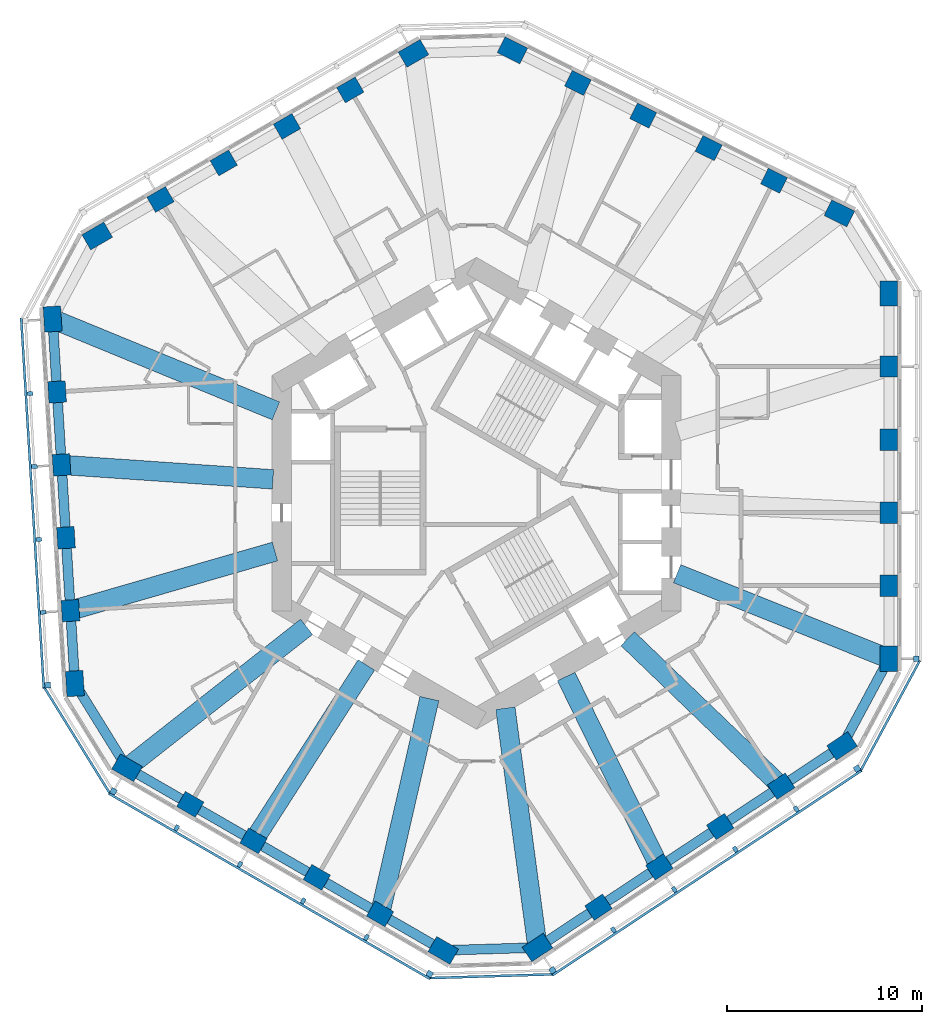
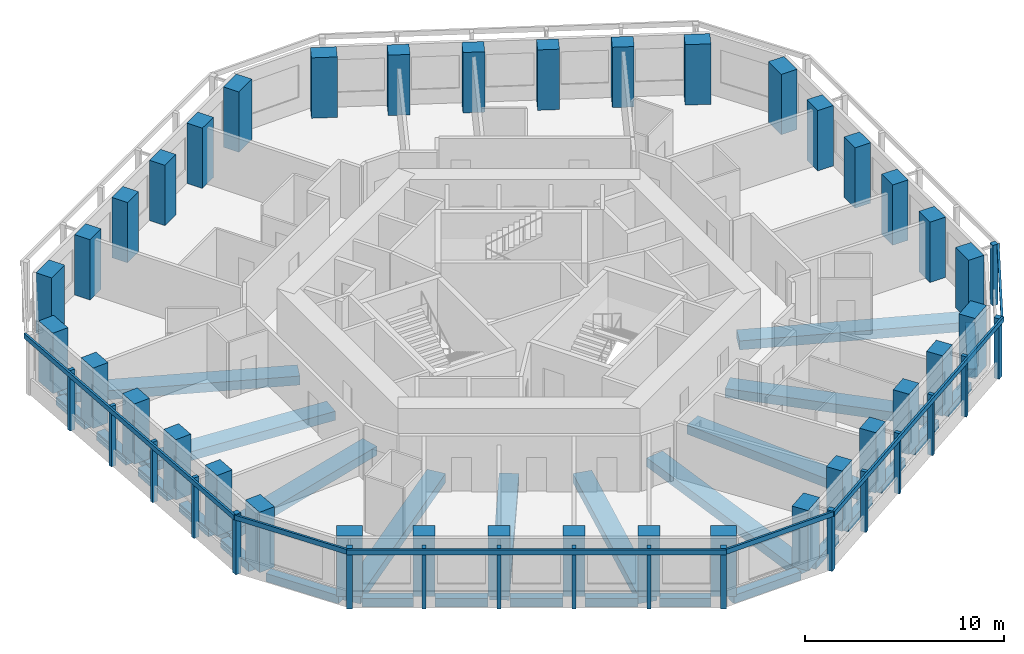
# One storey, part 1 of 11: 36 columns, 28 beams, 24 members, 7 elements without a shape of their own.
"""IFC4 building model written with IfcOpenShell, lengths in metres."""

from ifc_helpers import new_model, si_unit, direction, frame, origin, origin_2d, place, context, subcontext, project, spatial, rectangle, extrude, material, material_profile, profile_set, type_object, element, aggregate, save


model = new_model("IFC4")

# Units and contexts
model_context = context("Model", 3, precision=1e-05, world=origin(), true_north=direction((0.0, 1.0)))
body_context = subcontext(model_context, "Body", "Model", "MODEL_VIEW")
ifc_project = project(units=[si_unit("LENGTHUNIT", "METRE"), si_unit("AREAUNIT", "SQUARE_METRE"), si_unit("VOLUMEUNIT", "CUBIC_METRE"), si_unit("PLANEANGLEUNIT", "RADIAN"), si_unit("MASSUNIT", "GRAM", prefix="KILO")], contexts=[model_context])

# Site, building, storey
site_placement = place(None, origin())
site = spatial("IfcSite", under=ifc_project, at=site_placement, CompositionType="ELEMENT")
building_placement = place(site_placement, origin())
building = spatial("IfcBuilding", under=site, at=building_placement, Name="Vanh Sen Convention Tower", CompositionType="ELEMENT")
storey_placement = place(building_placement, frame((0.0, 0.0, 128.10009765625)))
storey = spatial("IfcBuildingStorey", under=building, at=storey_placement, Name="L31", CompositionType="ELEMENT", Elevation=128.10009765625)

# Columns
ifc_material_1 = material(Name="Concrete C80/95", Category="concrete")
ifc_material_profile_1 = material_profile(ifc_material_1, rectangle(XDim=1.10009765625, YDim=0.89990234375, at=origin_2d()), Name="RC 1100X900")
ifc_profile_set_1 = profile_set([ifc_material_profile_1], Name="Concrete C80/95")
column_type_1 = type_object("IfcColumnType", Name="Facade column 1100 x 900 C80/95", PredefinedType="COLUMN", material=ifc_profile_set_1)
for number, where, z_axis, x_axis, name in (
    (1, (21.199951171875, -4.746826171875, 0.0), (0.0, 0.0, 1.0), (0.0, 1.0, 0.0), "Facade column 02 L31"),
    (2, (21.199951171875, -0.992919921875, 0.0), (0.0, 0.0, 1.0), (0.0, 1.0, 0.0), "Facade column 03 L31"),
    (3, (21.199951171875, 2.76123046875, 0.0), (0.0, 0.0, 1.0), (0.0, 1.0, 0.0), "Facade column 04 L31"),
    (4, (21.199951171875, 6.515380859375, 0.0), (0.0, 0.0, 1.0), (0.0, 1.0, 0.0), "Facade column 05 L31"),
    (5, (15.290283203125, 16.0654296875, 0.0), (0.0, 0.0, 1.0), (-0.894934361602, 0.44619781311, 0.0), "Facade column 08 L31"),
    (6, (11.9306640625, 17.740478515625, 0.0), (0.0, 0.0, 1.0), (-0.894934361602, 0.44619781311, 0.0), "Facade column 09 L31"),
    (7, (8.57080078125, 19.41552734375, 0.0), (0.0, 0.0, 1.0), (-0.894934361602, 0.44619781311, 0.0), "Facade column 10 L31"),
    (8, (5.211181640625, 21.0908203125, 0.0), (0.0, 0.0, 1.0), (-0.894934361602, 0.44619781311, 0.0), "Facade column 11 L31"),
    (9, (-6.489013671875, 20.733154296875, 0.0), (0.0, 0.0, 1.0), (-0.866025403784, -0.5, 0.0), "Facade column 14 L31"),
    (10, (-9.740234375, 18.856201171875, 0.0), (0.0, 0.0, 1.0), (-0.866025403784, -0.5, 0.0), "Facade column 15 L31"),
    (11, (-12.991455078125, 16.97900390625, 0.0), (0.0, 0.0, 1.0), (-0.866025403784, -0.5, 0.0), "Facade column 16 L31"),
    (12, (-16.242431640625, 15.10205078125, 0.0), (0.0, 0.0, 1.0), (-0.866025403784, -0.5, 0.0), "Facade column 17 L31"),
    (13, (-21.55810546875, 5.208984375, 0.0), (0.0, 0.0, 1.0), (0.061048539535, -0.998134798422, 0.0), "Facade column 20 L31"),
    (14, (-21.3291015625, 1.4619140625, 0.0), (0.0, 0.0, 1.0), (0.061048539535, -0.998134798422, 0.0), "Facade column 21 L31"),
    (15, (-21.099853515625, -2.28515625, 0.0), (0.0, 0.0, 1.0), (0.061048539535, -0.998134798422, 0.0), "Facade column 22 L31"),
    (16, (-20.87060546875, -6.0322265625, 0.0), (0.0, 0.0, 1.0), (0.061048539535, -0.998134798422, 0.0), "Facade column 23 L31"),
    (17, (-14.7109375, -15.986328125, 0.0), (0.0, 0.0, 1.0), (0.866025403784, -0.5, 0.0), "Facade column 26 L31"),
    (18, (-11.459716796875, -17.86328125, 0.0), (0.0, 0.0, 1.0), (0.866025403784, -0.5, 0.0), "Facade column 27 L31"),
    (19, (-8.20849609375, -19.740478515625, 0.0), (0.0, 0.0, 1.0), (0.866025403784, -0.5, 0.0), "Facade column 28 L31"),
    (20, (-4.95751953125, -21.617431640625, 0.0), (0.0, 0.0, 1.0), (0.866025403784, -0.5, 0.0), "Facade column 29 L31"),
    (21, (6.267822265625, -21.2744140625, 0.0), (0.0, 0.0, 1.0), (0.833885822067, 0.551936985312, 0.0), "Facade column 32 L31"),
    (22, (9.3984375, -19.202392578125, 0.0), (0.0, 0.0, 1.0), (0.833885822067, 0.551936985312, 0.0), "Facade column 33 L31"),
    (23, (12.52880859375, -17.13037109375, 0.0), (0.0, 0.0, 1.0), (0.833885822067, 0.551936985312, 0.0), "Facade column 34 L31"),
    (24, (15.659423828125, -15.058349609375, 0.0), (0.0, 0.0, 1.0), (0.833885822067, 0.551936985312, 0.0), "Facade column 35 L31"),
):
    element("IfcColumn", number, at=place(storey_placement, frame(where, z_axis=z_axis, x_axis=x_axis)), inside=storey, type_object=column_type_1, Name=name, PredefinedType="COLUMN", context=body_context, shape_type="SweptSolid", body=[
        extrude(rectangle(XDim=1.10009765625, YDim=0.89990234375, at=origin_2d()), origin(), (0.0, 0.0, 1.0), 3.699951171875),
    ])
ifc_material_profile_2 = material_profile(ifc_material_1, rectangle(XDim=1.300048828125, YDim=0.89990234375, at=origin_2d()), Name="RC 1300X900")
ifc_profile_set_2 = profile_set([ifc_material_profile_2], Name="Concrete C80/95")
column_type_2 = type_object("IfcColumnType", Name="Facade corner column 1300 x 900 C80/95", PredefinedType="COLUMN", material=ifc_profile_set_2)
for number, where, z_axis, x_axis, name in (
    (25, (21.199951171875, -8.5009765625, 0.0), (0.0, 0.0, 1.0), (0.0, 1.0, 0.0), "Facade column 01 L31"),
    (26, (21.199951171875, 10.26953125, 0.0), (0.0, 0.0, 1.0), (0.0, 1.0, 0.0), "Facade column 06 L31"),
    (27, (18.64990234375, 14.390380859375, 0.0), (0.0, 0.0, 1.0), (-0.894934361602, 0.44619781311, 0.0), "Facade column 07 L31"),
    (28, (1.8515625, 22.765625, 0.0), (0.0, 0.0, 1.0), (-0.894934361602, 0.44619781311, 0.0), "Facade column 12 L31"),
    (29, (-3.23779296875, 22.610107421875, 0.0), (0.0, 0.0, 1.0), (-0.866025403784, -0.5, 0.0), "Facade column 13 L31"),
    (30, (-19.49365234375, 13.22509765625, 0.0), (0.0, 0.0, 1.0), (-0.866025403784, -0.5, 0.0), "Facade column 18 L31"),
    (31, (-21.787353515625, 8.956298828125, 0.0), (0.0, 0.0, 1.0), (0.061048539535, -0.998134798422, 0.0), "Facade column 19 L31"),
    (32, (-20.6416015625, -9.779296875, 0.0), (0.0, 0.0, 1.0), (0.061048539535, -0.998134798422, 0.0), "Facade column 24 L31"),
    (33, (-17.962158203125, -14.109130859375, 0.0), (0.0, 0.0, 1.0), (0.866025403784, -0.5, 0.0), "Facade column 25 L31"),
    (34, (-1.706298828125, -23.494384765625, 0.0), (0.0, 0.0, 1.0), (0.866025403784, -0.5, 0.0), "Facade column 30 L31"),
    (35, (3.137451171875, -23.346435546875, 0.0), (0.0, 0.0, 1.0), (0.833885822067, 0.551936985312, 0.0), "Facade column 31 L31"),
    (36, (18.789794921875, -12.986328125, 0.0), (0.0, 0.0, 1.0), (0.833885822067, 0.551936985312, 0.0), "Facade column 36 L31"),
):
    element("IfcColumn", number, at=place(storey_placement, frame(where, z_axis=z_axis, x_axis=x_axis)), inside=storey, type_object=column_type_2, Name=name, PredefinedType="COLUMN", context=body_context, shape_type="SweptSolid", body=[
        extrude(rectangle(XDim=1.300048828125, YDim=0.89990234375, at=origin_2d()), origin(), (0.0, 0.0, 1.0), 3.699951171875),
    ])

# Curtain wall, member
ifc_material_2 = material(Name="Concrete C50/60", Category="concrete")
curtain_wall_type = type_object("IfcCurtainWallType", Name="Outer skin office zone", PredefinedType="NOTDEFINED", material=ifc_material_2)
curtain_wall_1_placement = place(storey_placement, origin())
curtain_wall_1 = element("IfcCurtainWall", 37, at=curtain_wall_1_placement, inside=storey, type_object=curtain_wall_type, Name="OUTER SKIN E L31", PredefinedType="NOTDEFINED")
ifc_material_profile_3 = material_profile(ifc_material_2, rectangle(XDim=0.300048828125, YDim=0.300048828125, at=origin_2d()), Name="Outer skin precast corner fin 300 x 300")
ifc_profile_set_3 = profile_set([ifc_material_profile_3], Name="Concrete C50/60")
member_type_1 = type_object("IfcMemberType", Name="Outer skin precast corner fin 300 x 300", PredefinedType="MULLION", material=ifc_profile_set_3)
member_1_placement = place(storey_placement, frame((22.60009765625, -8.5009765625, 0.0), z_axis=(0.0, 0.0, 1.0), x_axis=(0.0, 1.0, 0.0)))
member_1 = element("IfcMember", 38, at=member_1_placement, type_object=member_type_1, Name="OUTER SKIN CORNER FIN 1 E L31", PredefinedType="MULLION", context=body_context, shape_type="SweptSolid", body=[
    extrude(rectangle(XDim=0.300048828125, YDim=0.300048828125, at=origin_2d()), origin(), (0.0, 0.0, 1.0), 3.699951171875),
])
aggregate(curtain_wall_1, [member_1])

curtain_wall_2_placement = place(storey_placement, origin())
curtain_wall_2 = element("IfcCurtainWall", 39, at=curtain_wall_2_placement, inside=storey, type_object=curtain_wall_type, Name="OUTER SKIN W L31", PredefinedType="NOTDEFINED")
member_2_placement = place(storey_placement, frame((-22.038818359375, -9.864990234375, 0.0), z_axis=(0.0, 0.0, 1.0), x_axis=(0.061048539535, -0.998134798422, 0.0)))
member_2 = element("IfcMember", 40, at=member_2_placement, type_object=member_type_1, Name="OUTER SKIN CORNER FIN 6 W L31", PredefinedType="MULLION", context=body_context, shape_type="SweptSolid", body=[
    extrude(rectangle(XDim=0.300048828125, YDim=0.300048828125, at=origin_2d()), origin(), (0.0, 0.0, 1.0), 3.699951171875),
])

# Curtain wall, members
curtain_wall_3_placement = place(storey_placement, origin())
curtain_wall_3 = element("IfcCurtainWall", 41, at=curtain_wall_3_placement, inside=storey, type_object=curtain_wall_type, Name="OUTER SKIN SW L31", PredefinedType="NOTDEFINED")
member_3_placement = place(storey_placement, frame((-18.662109375, -15.321533203125, 0.0), z_axis=(0.0, 0.0, 1.0), x_axis=(0.866025403784, -0.5, 0.0)))
member_3 = element("IfcMember", 42, at=member_3_placement, type_object=member_type_1, Name="OUTER SKIN CORNER FIN 1 SW L31", PredefinedType="MULLION", context=body_context, shape_type="SweptSolid", body=[
    extrude(rectangle(XDim=0.300048828125, YDim=0.300048828125, at=origin_2d()), origin(), (0.0, 0.0, 1.0), 3.699951171875),
])
member_4_placement = place(storey_placement, frame((-2.40625, -24.706787109375, 0.0), z_axis=(0.0, 0.0, 1.0), x_axis=(0.866025403784, -0.5, 0.0)))
member_4 = element("IfcMember", 43, at=member_4_placement, type_object=member_type_1, Name="OUTER SKIN CORNER FIN 6 SW L31", PredefinedType="MULLION", context=body_context, shape_type="SweptSolid", body=[
    extrude(rectangle(XDim=0.300048828125, YDim=0.300048828125, at=origin_2d()), origin(), (0.0, 0.0, 1.0), 3.699951171875),
])

curtain_wall_4_placement = place(storey_placement, origin())
curtain_wall_4 = element("IfcCurtainWall", 44, at=curtain_wall_4_placement, inside=storey, type_object=curtain_wall_type, Name="OUTER SKIN SE L31", PredefinedType="NOTDEFINED")
member_5_placement = place(storey_placement, frame((3.91015625, -24.513916015625, 0.0), z_axis=(0.0, 0.0, 1.0), x_axis=(0.833885822067, 0.551936985312, 0.0)))
member_5 = element("IfcMember", 45, at=member_5_placement, type_object=member_type_1, Name="OUTER SKIN CORNER FIN 1 SE L31", PredefinedType="MULLION", context=body_context, shape_type="SweptSolid", body=[
    extrude(rectangle(XDim=0.300048828125, YDim=0.300048828125, at=origin_2d()), origin(), (0.0, 0.0, 1.0), 3.699951171875),
])
member_6_placement = place(storey_placement, frame((19.5625, -14.15380859375, 0.0), z_axis=(0.0, 0.0, 1.0), x_axis=(0.833885822067, 0.551936985312, 0.0)))
member_6 = element("IfcMember", 46, at=member_6_placement, type_object=member_type_1, Name="OUTER SKIN CORNER FIN 6 SE L31", PredefinedType="MULLION", context=body_context, shape_type="SweptSolid", body=[
    extrude(rectangle(XDim=0.300048828125, YDim=0.300048828125, at=origin_2d()), origin(), (0.0, 0.0, 1.0), 3.699951171875),
])

# Member
ifc_material_profile_4 = material_profile(ifc_material_2, rectangle(XDim=0.199951171875, YDim=0.300048828125, at=origin_2d()), Name="Outer skin precast fin 200 x 300")
ifc_profile_set_4 = profile_set([ifc_material_profile_4], Name="Concrete C50/60")
member_type_2 = type_object("IfcMemberType", Name="Outer skin precast fin 200 x 300", PredefinedType="MULLION", material=ifc_profile_set_4)
member_7_placement = place(storey_placement, frame((-22.95556640625, 5.12353515625, 0.0), z_axis=(0.0, 0.0, 1.0), x_axis=(0.061048539535, -0.998134798422, 0.0)))
member_7 = element("IfcMember", 47, at=member_7_placement, type_object=member_type_2, Name="OUTER SKIN fin 2 W L31", PredefinedType="MULLION", context=body_context, shape_type="SweptSolid", body=[
    extrude(rectangle(XDim=0.199951171875, YDim=0.300048828125, at=origin_2d()), origin(), (0.0, 0.0, 1.0), 3.699951171875),
])

member_8_placement = place(storey_placement, frame((-22.726318359375, 1.37646484375, 0.0), z_axis=(0.0, 0.0, 1.0), x_axis=(0.061048539535, -0.998134798422, 0.0)))
member_8 = element("IfcMember", 48, at=member_8_placement, type_object=member_type_2, Name="OUTER SKIN fin 3 W L31", PredefinedType="MULLION", context=body_context, shape_type="SweptSolid", body=[
    extrude(rectangle(XDim=0.199951171875, YDim=0.300048828125, at=origin_2d()), origin(), (0.0, 0.0, 1.0), 3.699951171875),
])

member_9_placement = place(storey_placement, frame((-22.497314453125, -2.37060546875, 0.0), z_axis=(0.0, 0.0, 1.0), x_axis=(0.061048539535, -0.998134798422, 0.0)))
member_9 = element("IfcMember", 49, at=member_9_placement, type_object=member_type_2, Name="OUTER SKIN fin 4 W L31", PredefinedType="MULLION", context=body_context, shape_type="SweptSolid", body=[
    extrude(rectangle(XDim=0.199951171875, YDim=0.300048828125, at=origin_2d()), origin(), (0.0, 0.0, 1.0), 3.699951171875),
])

member_10_placement = place(storey_placement, frame((-22.26806640625, -6.117919921875, 0.0), z_axis=(0.0, 0.0, 1.0), x_axis=(0.061048539535, -0.998134798422, 0.0)))
member_10 = element("IfcMember", 50, at=member_10_placement, type_object=member_type_2, Name="OUTER SKIN fin 5 W L31", PredefinedType="MULLION", context=body_context, shape_type="SweptSolid", body=[
    extrude(rectangle(XDim=0.199951171875, YDim=0.300048828125, at=origin_2d()), origin(), (0.0, 0.0, 1.0), 3.699951171875),
])

member_11_placement = place(storey_placement, frame((-15.410888671875, -17.19873046875, 0.0), z_axis=(0.0, 0.0, 1.0), x_axis=(0.866025403784, -0.5, 0.0)))
member_11 = element("IfcMember", 51, at=member_11_placement, type_object=member_type_2, Name="OUTER SKIN fin 2 SW L31", PredefinedType="MULLION", context=body_context, shape_type="SweptSolid", body=[
    extrude(rectangle(XDim=0.199951171875, YDim=0.300048828125, at=origin_2d()), origin(), (0.0, 0.0, 1.0), 3.699951171875),
])

member_12_placement = place(storey_placement, frame((-12.159912109375, -19.07568359375, 0.0), z_axis=(0.0, 0.0, 1.0), x_axis=(0.866025403784, -0.5, 0.0)))
member_12 = element("IfcMember", 52, at=member_12_placement, type_object=member_type_2, Name="OUTER SKIN fin 3 SW L31", PredefinedType="MULLION", context=body_context, shape_type="SweptSolid", body=[
    extrude(rectangle(XDim=0.199951171875, YDim=0.300048828125, at=origin_2d()), origin(), (0.0, 0.0, 1.0), 3.699951171875),
])

member_13_placement = place(storey_placement, frame((-8.90869140625, -20.952880859375, 0.0), z_axis=(0.0, 0.0, 1.0), x_axis=(0.866025403784, -0.5, 0.0)))
member_13 = element("IfcMember", 53, at=member_13_placement, type_object=member_type_2, Name="OUTER SKIN fin 4 SW L31", PredefinedType="MULLION", context=body_context, shape_type="SweptSolid", body=[
    extrude(rectangle(XDim=0.199951171875, YDim=0.300048828125, at=origin_2d()), origin(), (0.0, 0.0, 1.0), 3.699951171875),
])

member_14_placement = place(storey_placement, frame((-5.657470703125, -22.829833984375, 0.0), z_axis=(0.0, 0.0, 1.0), x_axis=(0.866025403784, -0.5, 0.0)))
member_14 = element("IfcMember", 54, at=member_14_placement, type_object=member_type_2, Name="OUTER SKIN fin 5 SW L31", PredefinedType="MULLION", context=body_context, shape_type="SweptSolid", body=[
    extrude(rectangle(XDim=0.199951171875, YDim=0.300048828125, at=origin_2d()), origin(), (0.0, 0.0, 1.0), 3.699951171875),
])

member_15_placement = place(storey_placement, frame((7.04052734375, -22.44189453125, 0.0), z_axis=(0.0, 0.0, 1.0), x_axis=(0.833885822067, 0.551936985312, 0.0)))
member_15 = element("IfcMember", 55, at=member_15_placement, type_object=member_type_2, Name="OUTER SKIN fin 2 SE L31", PredefinedType="MULLION", context=body_context, shape_type="SweptSolid", body=[
    extrude(rectangle(XDim=0.199951171875, YDim=0.300048828125, at=origin_2d()), origin(), (0.0, 0.0, 1.0), 3.699951171875),
])

member_16_placement = place(storey_placement, frame((10.171142578125, -20.369873046875, 0.0), z_axis=(0.0, 0.0, 1.0), x_axis=(0.833885822067, 0.551936985312, 0.0)))
member_16 = element("IfcMember", 56, at=member_16_placement, type_object=member_type_2, Name="OUTER SKIN fin 3 SE L31", PredefinedType="MULLION", context=body_context, shape_type="SweptSolid", body=[
    extrude(rectangle(XDim=0.199951171875, YDim=0.300048828125, at=origin_2d()), origin(), (0.0, 0.0, 1.0), 3.699951171875),
])

member_17_placement = place(storey_placement, frame((13.301513671875, -18.2978515625, 0.0), z_axis=(0.0, 0.0, 1.0), x_axis=(0.833885822067, 0.551936985312, 0.0)))
member_17 = element("IfcMember", 57, at=member_17_placement, type_object=member_type_2, Name="OUTER SKIN fin 4 SE L31", PredefinedType="MULLION", context=body_context, shape_type="SweptSolid", body=[
    extrude(rectangle(XDim=0.199951171875, YDim=0.300048828125, at=origin_2d()), origin(), (0.0, 0.0, 1.0), 3.699951171875),
])

member_18_placement = place(storey_placement, frame((16.43212890625, -16.225830078125, 0.0), z_axis=(0.0, 0.0, 1.0), x_axis=(0.833885822067, 0.551936985312, 0.0)))
member_18 = element("IfcMember", 58, at=member_18_placement, type_object=member_type_2, Name="OUTER SKIN fin 5 SE L31", PredefinedType="MULLION", context=body_context, shape_type="SweptSolid", body=[
    extrude(rectangle(XDim=0.199951171875, YDim=0.300048828125, at=origin_2d()), origin(), (0.0, 0.0, 1.0), 3.699951171875),
])

ifc_material_profile_5 = material_profile(ifc_material_2, rectangle(XDim=0.1201171875, YDim=0.300048828125, at=origin_2d()), Name="Outer skin precast spandrel band 300 x 120")
ifc_profile_set_5 = profile_set([ifc_material_profile_5], Name="Concrete C50/60")
member_type_3 = type_object("IfcMemberType", Name="Outer skin precast spandrel band 300 x 120", PredefinedType="USERDEFINED", material=ifc_profile_set_5)
member_19_placement = place(storey_placement, frame((-23.403564453125, 9.007568359375, 3.5498046875), z_axis=(0.061052799403, -0.998134537868, 0.0), x_axis=(0.998134537868, 0.061052799403, 0.0)))
member_19 = element("IfcMember", 59, at=member_19_placement, type_object=member_type_3, Name="OUTER SKIN spandrel band W L31", ObjectType="TRANSOM", PredefinedType="USERDEFINED", context=body_context, shape_type="SweptSolid", body=[
    extrude(rectangle(XDim=0.1201171875, YDim=0.300048828125, at=origin_2d()), origin(), (0.0, 0.0, 1.0), 19.070556640625),
])

aggregate(curtain_wall_2, [member_7, member_8, member_9, member_10, member_2, member_19])

# Curtain wall, member
curtain_wall_5_placement = place(storey_placement, origin())
curtain_wall_5 = element("IfcCurtainWall", 60, at=curtain_wall_5_placement, inside=storey, type_object=curtain_wall_type, Name="OUTER SKIN CH4 L31", PredefinedType="NOTDEFINED")
member_20_placement = place(storey_placement, frame((-22.217529296875, -9.975341796875, 3.5498046875), z_axis=(0.526207913146, -0.85035594438, 0.0), x_axis=(0.85035594438, 0.526207913146, 0.0)))
member_20 = element("IfcMember", 61, at=member_20_placement, type_object=member_type_3, Name="OUTER SKIN spandrel band CH4 L31", ObjectType="TRANSOM", PredefinedType="USERDEFINED", context=body_context, shape_type="SweptSolid", body=[
    extrude(rectangle(XDim=0.1201171875, YDim=0.300048828125, at=origin_2d()), origin(), (0.0, 0.0, 1.0), 6.4169921875),
])
aggregate(curtain_wall_5, [member_20])

# Member
member_21_placement = place(storey_placement, frame((-18.89697265625, -15.428466796875, 3.5498046875), z_axis=(0.866023136587, -0.500003926881, 0.0), x_axis=(0.500003926881, 0.866023136587, 0.0)))
member_21 = element("IfcMember", 62, at=member_21_placement, type_object=member_type_3, Name="OUTER SKIN spandrel band SW L31", ObjectType="TRANSOM", PredefinedType="USERDEFINED", context=body_context, shape_type="SweptSolid", body=[
    extrude(rectangle(XDim=0.1201171875, YDim=0.300048828125, at=origin_2d()), origin(), (0.0, 0.0, 1.0), 19.070556640625),
])

aggregate(curtain_wall_3, [member_3, member_11, member_12, member_13, member_14, member_4, member_21])

# Curtain wall, member
curtain_wall_6_placement = place(storey_placement, origin())
curtain_wall_6 = element("IfcCurtainWall", 63, at=curtain_wall_6_placement, inside=storey, type_object=curtain_wall_type, Name="OUTER SKIN CH5 L31", PredefinedType="NOTDEFINED")
member_22_placement = place(storey_placement, frame((-2.39990234375, -24.916748046875, 3.5498046875), z_axis=(0.99953413443, 0.030520716071, 0.0), x_axis=(-0.030520716071, 0.99953413443, 0.0)))
member_22 = element("IfcMember", 64, at=member_22_placement, type_object=member_type_3, Name="OUTER SKIN spandrel band CH5 L31", ObjectType="TRANSOM", PredefinedType="USERDEFINED", context=body_context, shape_type="SweptSolid", body=[
    extrude(rectangle(XDim=0.1201171875, YDim=0.300048828125, at=origin_2d()), origin(), (0.0, 0.0, 1.0), 6.3193359375),
])
aggregate(curtain_wall_6, [member_22])

# Member
member_23_placement = place(storey_placement, frame((3.90087890625, -24.771728515625, 3.5498046875), z_axis=(0.833891134859, 0.551928958475, 0.0), x_axis=(-0.551928958475, 0.833891134859, 0.0)))
member_23 = element("IfcMember", 65, at=member_23_placement, type_object=member_type_3, Name="OUTER SKIN spandrel band SE L31", ObjectType="TRANSOM", PredefinedType="USERDEFINED", context=body_context, shape_type="SweptSolid", body=[
    extrude(rectangle(XDim=0.1201171875, YDim=0.300048828125, at=origin_2d()), origin(), (0.0, 0.0, 1.0), 19.070556640625),
])

aggregate(curtain_wall_4, [member_5, member_15, member_16, member_17, member_18, member_6, member_23])

# Curtain wall, member
curtain_wall_7_placement = place(storey_placement, origin())
curtain_wall_7 = element("IfcCurtainWall", 66, at=curtain_wall_7_placement, inside=storey, type_object=curtain_wall_type, Name="OUTER SKIN CH6 L31", PredefinedType="NOTDEFINED")
member_24_placement = place(storey_placement, frame((19.74755859375, -14.253173828125, 3.5498046875), z_axis=(0.473316922434, 0.880892213008, 0.0), x_axis=(-0.880892213008, 0.473316922434, 0.0)))
member_24 = element("IfcMember", 67, at=member_24_placement, type_object=member_type_3, Name="OUTER SKIN spandrel band CH6 L31", ObjectType="TRANSOM", PredefinedType="USERDEFINED", context=body_context, shape_type="SweptSolid", body=[
    extrude(rectangle(XDim=0.1201171875, YDim=0.300048828125, at=origin_2d()), origin(), (0.0, 0.0, 1.0), 6.417236328125),
])
aggregate(curtain_wall_7, [member_24])

# Beams
ifc_material_3 = material(Name="Concrete C50/60", Category="concrete")
ifc_material_profile_6 = material_profile(ifc_material_3, rectangle(XDim=1.0, YDim=0.550048828125, at=origin_2d()), Name="RC 1000X550")
ifc_profile_set_6 = profile_set([ifc_material_profile_6], Name="Concrete C50/60")
beam_type_1 = type_object("IfcBeamType", Name="Radial floor beam 1000 x 550", PredefinedType="BEAM", material=ifc_profile_set_6)
beam_1_placement = place(storey_placement, frame((20.940673828125, -8.39697265625, -0.55517578125), z_axis=(-0.928155894618, 0.372191664718, 0.0), x_axis=(-0.372191664718, -0.928155894618, 0.0)))
element("IfcBeam", 68, at=beam_1_placement, inside=storey, type_object=beam_type_1, Name="Radial beam 01 L31", PredefinedType="BEAM", context=body_context, shape_type="SweptSolid", body=[
    extrude(rectangle(XDim=1.0, YDim=0.550048828125, at=origin_2d()), origin(), (0.0, 0.0, 1.0), 11.454345703125),
])
beam_2_placement = place(storey_placement, frame((-21.5537109375, 8.860107421875, -0.55517578125), z_axis=(0.924898704651, -0.380213605932, 0.0), x_axis=(0.380213605932, 0.924898704651, 0.0)))
element("IfcBeam", 69, at=beam_2_placement, inside=storey, type_object=beam_type_1, Name="Radial beam 10 L31", PredefinedType="BEAM", context=body_context, shape_type="SweptSolid", body=[
    extrude(rectangle(XDim=1.0, YDim=0.550048828125, at=origin_2d()), origin(), (0.0, 0.0, 1.0), 12.16162109375),
])
beam_3_placement = place(storey_placement, frame((-20.9462890625, 1.435791015625, -0.55517578125), z_axis=(0.997658941032, -0.068385944315, 0.0), x_axis=(0.068385944315, 0.997658941032, 0.0)))
element("IfcBeam", 70, at=beam_3_placement, inside=storey, type_object=beam_type_1, Name="Radial beam 11 L31", PredefinedType="BEAM", context=body_context, shape_type="SweptSolid", body=[
    extrude(rectangle(XDim=1.0, YDim=0.550048828125, at=origin_2d()), origin(), (0.0, 0.0, 1.0), 10.51025390625),
])
beam_4_placement = place(storey_placement, frame((-20.602783203125, -5.954833984375, -0.55517578125), z_axis=(0.960679861027, 0.277658431563, 0.0), x_axis=(-0.277658431563, 0.960679861027, 0.0)))
element("IfcBeam", 71, at=beam_4_placement, inside=storey, type_object=beam_type_1, Name="Radial beam 12 L31", PredefinedType="BEAM", context=body_context, shape_type="SweptSolid", body=[
    extrude(rectangle(XDim=1.0, YDim=0.550048828125, at=origin_2d()), origin(), (0.0, 0.0, 1.0), 10.665771484375),
])
beam_5_placement = place(storey_placement, frame((-17.742431640625, -13.936767578125, -0.55517578125), z_axis=(0.786390075882, 0.617730239307, 0.0), x_axis=(-0.617730239307, 0.786390075882, 0.0)))
element("IfcBeam", 72, at=beam_5_placement, inside=storey, type_object=beam_type_1, Name="Radial beam 13 L31", PredefinedType="BEAM", context=body_context, shape_type="SweptSolid", body=[
    extrude(rectangle(XDim=1.0, YDim=0.550048828125, at=origin_2d()), origin(), (0.0, 0.0, 1.0), 11.454345703125),
])
beam_6_placement = place(storey_placement, frame((-11.23193359375, -17.508056640625, -0.55517578125), z_axis=(0.539975252329, 0.841680893731, 0.0), x_axis=(-0.841680893731, 0.539975252329, 0.0)))
element("IfcBeam", 73, at=beam_6_placement, inside=storey, type_object=beam_type_1, Name="Radial beam 14 L31", PredefinedType="BEAM", context=body_context, shape_type="SweptSolid", body=[
    extrude(rectangle(XDim=1.0, YDim=0.550048828125, at=origin_2d()), origin(), (0.0, 0.0, 1.0), 10.318115234375),
])
beam_7_placement = place(storey_placement, frame((-4.90380859375, -21.38330078125, -0.55517578125), z_axis=(0.22352270498, 0.974698722867, 0.0), x_axis=(-0.974698722867, 0.22352270498, 0.0)))
element("IfcBeam", 74, at=beam_7_placement, inside=storey, type_object=beam_type_1, Name="Radial beam 15 L31", PredefinedType="BEAM", context=body_context, shape_type="SweptSolid", body=[
    extrude(rectangle(XDim=1.0, YDim=0.550048828125, at=origin_2d()), origin(), (0.0, 0.0, 1.0), 11.112548828125),
])
beam_8_placement = place(storey_placement, frame((3.103759765625, -23.095947265625, -0.55517578125), z_axis=(-0.133195875593, 0.991089732933, 0.0), x_axis=(-0.991089732933, -0.133195875593, 0.0)))
element("IfcBeam", 75, at=beam_8_placement, inside=storey, type_object=beam_type_1, Name="Radial beam 16 L31", PredefinedType="BEAM", context=body_context, shape_type="SweptSolid", body=[
    extrude(rectangle(XDim=1.0, YDim=0.550048828125, at=origin_2d()), origin(), (0.0, 0.0, 1.0), 12.16162109375),
])
beam_9_placement = place(storey_placement, frame((9.229736328125, -18.85791015625, -0.55517578125), z_axis=(-0.439596726485, 0.898195256091, 0.0), x_axis=(-0.898195256091, -0.439596726485, 0.0)))
element("IfcBeam", 76, at=beam_9_placement, inside=storey, type_object=beam_type_1, Name="Radial beam 17 L31", PredefinedType="BEAM", context=body_context, shape_type="SweptSolid", body=[
    extrude(rectangle(XDim=1.0, YDim=0.550048828125, at=origin_2d()), origin(), (0.0, 0.0, 1.0), 10.510009765625),
])
beam_10_placement = place(storey_placement, frame((15.458251953125, -14.864990234375, -0.55517578125), z_axis=(-0.720797435076, 0.693145769365, 0.0), x_axis=(-0.693145769365, -0.720797435076, 0.0)))
element("IfcBeam", 77, at=beam_10_placement, inside=storey, type_object=beam_type_1, Name="Radial beam 18 L31", PredefinedType="BEAM", context=body_context, shape_type="SweptSolid", body=[
    extrude(rectangle(XDim=1.0, YDim=0.550048828125, at=origin_2d()), origin(), (0.0, 0.0, 1.0), 10.66552734375),
])
ifc_material_profile_7 = material_profile(ifc_material_3, rectangle(XDim=0.5, YDim=0.5, at=origin_2d()), Name="RC 500X500")
ifc_profile_set_7 = profile_set([ifc_material_profile_7], Name="Concrete C50/60")
beam_type_2 = type_object("IfcBeamType", Name="Spandrel beam 500 x 500", PredefinedType="SPANDREL", material=ifc_profile_set_7)
beam_11_placement = place(storey_placement, frame((-21.748046875, 8.3125, -0.530029296875), z_axis=(0.061026827248, -0.998136126165, 0.0), x_axis=(0.998136126165, 0.061026827248, 0.0)))
element("IfcBeam", 78, at=beam_11_placement, inside=storey, type_object=beam_type_2, Name="Spandrel beam 19 L31", PredefinedType="SPANDREL", context=body_context, shape_type="SweptSolid", body=[
    extrude(rectangle(XDim=0.5, YDim=0.5, at=origin_2d()), origin(), (0.0, 0.0, 1.0), 2.564453125),
])
beam_12_placement = place(storey_placement, frame((-21.52490234375, 4.665283203125, -0.530029296875), z_axis=(0.061026226429, -0.9981361629, 0.0), x_axis=(0.9981361629, 0.061026226429, 0.0)))
element("IfcBeam", 79, at=beam_12_placement, inside=storey, type_object=beam_type_2, Name="Spandrel beam 20 L31", PredefinedType="SPANDREL", context=body_context, shape_type="SweptSolid", body=[
    extrude(rectangle(XDim=0.5, YDim=0.5, at=origin_2d()), origin(), (0.0, 0.0, 1.0), 2.664306640625),
])
for number, where, z_axis, x_axis, name in (
    (80, (-21.295654296875, 0.91796875, -0.530029296875), (0.061031808409, -0.998135821601, 0.0), (0.998135821601, 0.061031808409, 0.0), "Spandrel beam 21 L31"),
    (81, (-21.06640625, -2.8291015625, -0.530029296875), (0.060940509637, -0.998141399946, 0.0), (0.998141399946, 0.060940509637, 0.0), "Spandrel beam 22 L31"),
):
    element("IfcBeam", number, at=place(storey_placement, frame(where, z_axis=z_axis, x_axis=x_axis)), inside=storey, type_object=beam_type_2, Name=name, PredefinedType="SPANDREL", context=body_context, shape_type="SweptSolid", body=[
        extrude(rectangle(XDim=0.5, YDim=0.5, at=origin_2d()), origin(), (0.0, 0.0, 1.0), 2.6640625),
    ])
beam_13_placement = place(storey_placement, frame((-20.83740234375, -6.576171875, -0.530029296875), z_axis=(0.061032627068, -0.998135771543, 0.0), x_axis=(0.998135771543, 0.061032627068, 0.0)))
element("IfcBeam", 82, at=beam_13_placement, inside=storey, type_object=beam_type_2, Name="Spandrel beam 23 L31", PredefinedType="SPANDREL", context=body_context, shape_type="SweptSolid", body=[
    extrude(rectangle(XDim=0.5, YDim=0.5, at=origin_2d()), origin(), (0.0, 0.0, 1.0), 2.564208984375),
])
beam_14_placement = place(storey_placement, frame((-20.388671875, -10.18798828125, -0.530029296875), z_axis=(0.526232532359, -0.850340709297, 0.0), x_axis=(0.850340709297, 0.526232532359, 0.0)))
element("IfcBeam", 83, at=beam_14_placement, inside=storey, type_object=beam_type_2, Name="Spandrel beam 24 L31", PredefinedType="SPANDREL", context=body_context, shape_type="SweptSolid", body=[
    extrude(rectangle(XDim=0.5, YDim=0.5, at=origin_2d()), origin(), (0.0, 0.0, 1.0), 4.130859375),
])
beam_15_placement = place(storey_placement, frame((-17.403564453125, -14.431640625, -0.530029296875), z_axis=(0.866008007854, -0.500030129425, 0.0), x_axis=(0.500030129425, 0.866008007854, 0.0)))
element("IfcBeam", 84, at=beam_15_placement, inside=storey, type_object=beam_type_2, Name="Spandrel beam 25 L31", PredefinedType="SPANDREL", context=body_context, shape_type="SweptSolid", body=[
    extrude(rectangle(XDim=0.5, YDim=0.5, at=origin_2d()), origin(), (0.0, 0.0, 1.0), 2.564208984375),
])
for number, where, z_axis, x_axis, name in (
    (85, (-14.239013671875, -16.2587890625, -0.530029296875), (0.866023818221, -0.500002746266, 0.0), (0.500002746266, 0.866023818221, 0.0), "Spandrel beam 26 L31"),
    (86, (-10.98779296875, -18.1357421875, -0.530029296875), (0.8659841347, -0.500071473339, 0.0), (0.500071473339, 0.8659841347, 0.0), "Spandrel beam 27 L31"),
    (87, (-7.736572265625, -20.012939453125, -0.530029296875), (0.866023818221, -0.500002746266, 0.0), (0.500002746266, 0.866023818221, 0.0), "Spandrel beam 28 L31"),
):
    element("IfcBeam", number, at=place(storey_placement, frame(where, z_axis=z_axis, x_axis=x_axis)), inside=storey, type_object=beam_type_2, Name=name, PredefinedType="SPANDREL", context=body_context, shape_type="SweptSolid", body=[
        extrude(rectangle(XDim=0.5, YDim=0.5, at=origin_2d()), origin(), (0.0, 0.0, 1.0), 2.6640625),
    ])
beam_16_placement = place(storey_placement, frame((-4.485595703125, -21.889892578125, -0.530029296875), z_axis=(0.866008007854, -0.500030129425, 0.0), x_axis=(0.500030129425, 0.866008007854, 0.0)))
element("IfcBeam", 88, at=beam_16_placement, inside=storey, type_object=beam_type_2, Name="Spandrel beam 29 L31", PredefinedType="SPANDREL", context=body_context, shape_type="SweptSolid", body=[
    extrude(rectangle(XDim=0.5, YDim=0.5, at=origin_2d()), origin(), (0.0, 0.0, 1.0), 2.564208984375),
])
beam_17_placement = place(storey_placement, frame((-1.260498046875, -23.48095703125, -0.530029296875), z_axis=(0.999532756569, 0.03056580679, 0.0), x_axis=(-0.03056580679, 0.999532756569, 0.0)))
element("IfcBeam", 89, at=beam_17_placement, inside=storey, type_object=beam_type_2, Name="Spandrel beam 30 L31", PredefinedType="SPANDREL", context=body_context, shape_type="SweptSolid", body=[
    extrude(rectangle(XDim=0.5, YDim=0.5, at=origin_2d()), origin(), (0.0, 0.0, 1.0), 3.953857421875),
])
beam_18_placement = place(storey_placement, frame((3.67529296875, -22.990478515625, -0.530029296875), z_axis=(0.833876783429, 0.551950640961, 0.0), x_axis=(-0.551950640961, 0.833876783429, 0.0)))
element("IfcBeam", 90, at=beam_18_placement, inside=storey, type_object=beam_type_2, Name="Spandrel beam 31 L31", PredefinedType="SPANDREL", context=body_context, shape_type="SweptSolid", body=[
    extrude(rectangle(XDim=0.5, YDim=0.5, at=origin_2d()), origin(), (0.0, 0.0, 1.0), 2.564208984375),
])
beam_19_placement = place(storey_placement, frame((6.722412109375, -20.9736328125, -0.530029296875), z_axis=(0.833906773816, 0.551905329368, 0.0), x_axis=(-0.551905329368, 0.833906773816, 0.0)))
element("IfcBeam", 91, at=beam_19_placement, inside=storey, type_object=beam_type_2, Name="Spandrel beam 32 L31", PredefinedType="SPANDREL", context=body_context, shape_type="SweptSolid", body=[
    extrude(rectangle(XDim=0.5, YDim=0.5, at=origin_2d()), origin(), (0.0, 0.0, 1.0), 2.663818359375),
])
beam_20_placement = place(storey_placement, frame((9.852783203125, -18.901611328125, -0.530029296875), z_axis=(0.8338925114, 0.551926878699, 0.0), x_axis=(-0.551926878699, 0.8338925114, 0.0)))
element("IfcBeam", 92, at=beam_20_placement, inside=storey, type_object=beam_type_2, Name="Spandrel beam 33 L31", PredefinedType="SPANDREL", context=body_context, shape_type="SweptSolid", body=[
    extrude(rectangle(XDim=0.5, YDim=0.5, at=origin_2d()), origin(), (0.0, 0.0, 1.0), 2.664306640625),
])
beam_21_placement = place(storey_placement, frame((12.9833984375, -16.82958984375, -0.530029296875), z_axis=(0.833864593577, 0.551969056722, 0.0), x_axis=(-0.551969056722, 0.833864593577, 0.0)))
element("IfcBeam", 93, at=beam_21_placement, inside=storey, type_object=beam_type_2, Name="Spandrel beam 34 L31", PredefinedType="SPANDREL", context=body_context, shape_type="SweptSolid", body=[
    extrude(rectangle(XDim=0.5, YDim=0.5, at=origin_2d()), origin(), (0.0, 0.0, 1.0), 2.6640625),
])
beam_22_placement = place(storey_placement, frame((16.114013671875, -14.757568359375, -0.530029296875), z_axis=(0.833847773334, 0.551994466372, 0.0), x_axis=(-0.551994466372, 0.833847773334, 0.0)))
element("IfcBeam", 94, at=beam_22_placement, inside=storey, type_object=beam_type_2, Name="Spandrel beam 35 L31", PredefinedType="SPANDREL", context=body_context, shape_type="SweptSolid", body=[
    extrude(rectangle(XDim=0.5, YDim=0.5, at=origin_2d()), origin(), (0.0, 0.0, 1.0), 2.56396484375),
])
beam_23_placement = place(storey_placement, frame((19.017333984375, -12.563232421875, -0.530029296875), z_axis=(0.473331343441, 0.880884464227, 0.0), x_axis=(-0.880884464227, 0.473331343441, 0.0)))
element("IfcBeam", 95, at=beam_23_placement, inside=storey, type_object=beam_type_2, Name="Spandrel beam 36 L31", PredefinedType="SPANDREL", context=body_context, shape_type="SweptSolid", body=[
    extrude(rectangle(XDim=0.5, YDim=0.5, at=origin_2d()), origin(), (0.0, 0.0, 1.0), 4.130859375),
])

save(model, "model.ifc")
